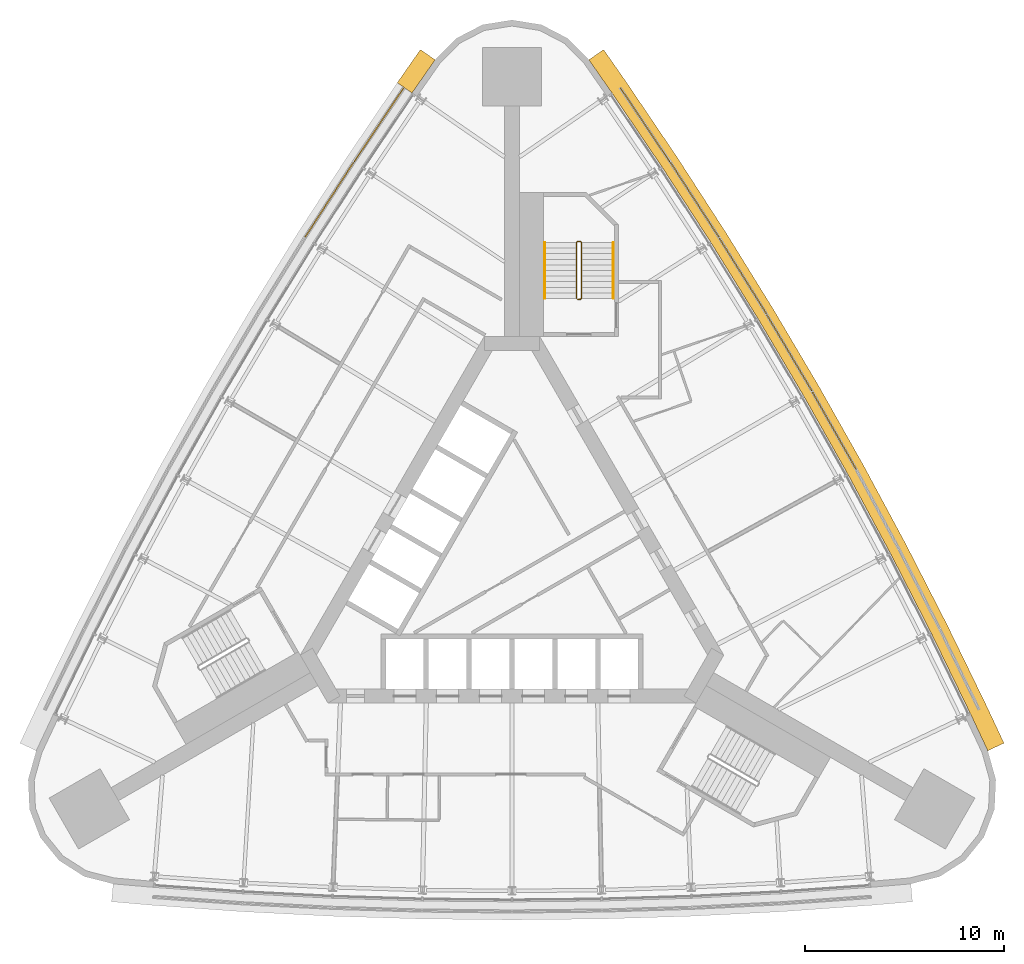
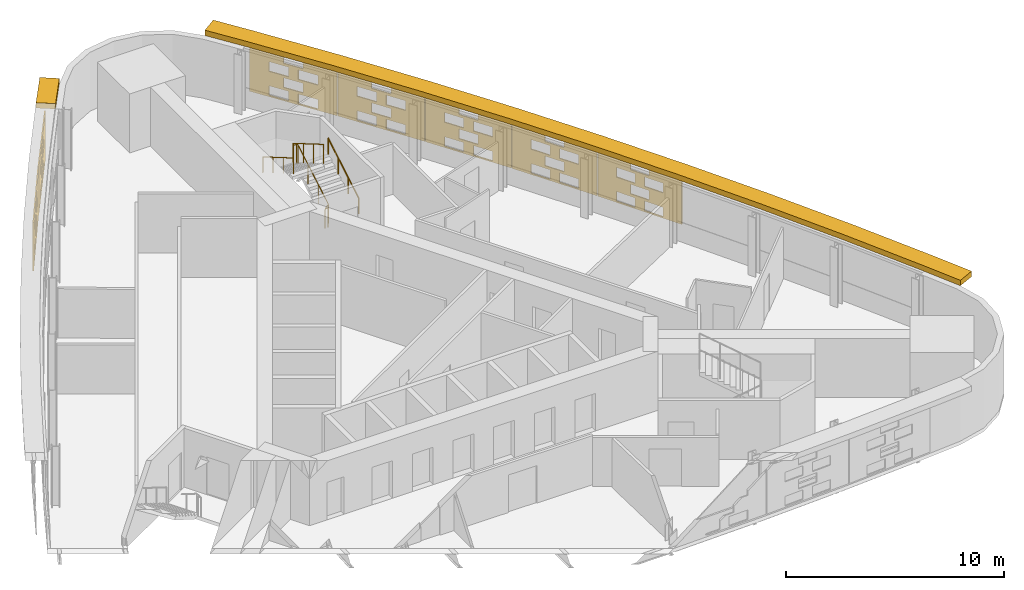
# One storey, part 11 of 11: 9 shading devices, 3 railings.
"""IFC4 building model written with IfcOpenShell, lengths in metres."""

import ifcopenshell
import ifcopenshell.guid

model = None  # the IFC model being written
_history = None  # IfcOwnerHistory: only IFC2X3 demands one
_inside = {}  # id of a spatial element -> (the spatial element, [elements in it])
_under = {}  # id of a project, library or spatial element -> (it, [spatial elements below it])
_declared = {}  # id of a project -> (the project, [libraries it declares])
_typed = {}  # id of a type object -> (the type object, [elements of that type])
_made_of = {}  # id of a material, layer set ... -> (it, [elements and type objects made of it])


def new_model(schema):
    """Start an empty IFC model of exactly this schema.

    Asked for "IFC4X3", IfcOpenShell would pick the latest addendum, in which some entities
    have other attributes; the version numbers below select the first issue.
    IFC2X3 requires an IfcOwnerHistory on every rooted entity: one is made here for all.
    """
    global model, _history
    if schema == "IFC4X3":
        model = ifcopenshell.file(schema_version=(4, 3, 0, 0))
    else:
        model = ifcopenshell.file(schema=schema)
    _inside.clear()
    _under.clear()
    _declared.clear()
    _typed.clear()
    _made_of.clear()
    _history = None
    if model.schema == "IFC2X3":
        org = make("IfcOrganization", Name="unknown")
        user = make(
            "IfcPersonAndOrganization",
            ThePerson=make("IfcPerson", FamilyName="unknown"),
            TheOrganization=org,
        )
        app = make(
            "IfcApplication",
            ApplicationDeveloper=org,
            Version="unknown",
            ApplicationFullName="unknown",
            ApplicationIdentifier="unknown",
        )
        _history = make(
            "IfcOwnerHistory",
            OwningUser=user,
            OwningApplication=app,
            ChangeAction="ADDED",
            CreationDate=0,
        )
    return model


def make(cls, **values):
    """One entity of the class cls with the attributes given. An attribute that is None is left unset."""
    return model.create_entity(
        cls, **{name: value for name, value in values.items() if value is not None}
    )


def rooted(cls, **values):
    """An entity with a GlobalId (a new one), such as an element, a storey or a relation."""
    return make(cls, GlobalId=ifcopenshell.guid.new(), OwnerHistory=_history, **values)


def si_unit(unit_type, name, prefix=None):
    """IfcSIUnit, for example si_unit("LENGTHUNIT", "METRE", prefix="MILLI")."""
    return make("IfcSIUnit", UnitType=unit_type, Prefix=prefix, Name=name)


def assignment(units):
    """IfcUnitAssignment: the units of a project."""
    return None if units is None else make("IfcUnitAssignment", Units=units)


def point(xyz):
    """IfcCartesianPoint."""
    return None if xyz is None else make("IfcCartesianPoint", Coordinates=xyz)


def direction(xyz):
    """IfcDirection."""
    return None if xyz is None else make("IfcDirection", DirectionRatios=xyz)


def frame(location, z_axis=None, x_axis=None):
    """IfcAxis2Placement3D, a coordinate frame: its origin and axes. An axis left out is left unset."""
    return make(
        "IfcAxis2Placement3D",
        Location=point(location),
        Axis=direction(z_axis),
        RefDirection=direction(x_axis),
    )


def frame_2d(location, x_axis=None):
    """IfcAxis2Placement2D, a coordinate frame in the plane: its origin and x axis."""
    return make(
        "IfcAxis2Placement2D", Location=point(location), RefDirection=direction(x_axis)
    )


def origin():
    """The frame at (0, 0, 0) with its axes left unset."""
    return frame((0.0, 0.0, 0.0))


def origin_2d():
    """The frame at (0, 0) in the plane with its x axis left unset."""
    return frame_2d((0.0, 0.0))


def place(relative_to, where):
    """IfcLocalPlacement: puts the frame where relative to a parent placement (None: the world)."""
    return make(
        "IfcLocalPlacement", PlacementRelTo=relative_to, RelativePlacement=where
    )


def context(
    kind, dimensions, precision=None, world=None, true_north=None, identifier=None
):
    """IfcGeometricRepresentationContext, for example the 3D "Model" context."""
    return make(
        "IfcGeometricRepresentationContext",
        ContextIdentifier=identifier,
        ContextType=kind,
        CoordinateSpaceDimension=dimensions,
        Precision=precision,
        WorldCoordinateSystem=world,
        TrueNorth=true_north,
    )


def subcontext(parent, identifier, kind, view, scale=None):
    """IfcGeometricRepresentationSubContext, for example "Body" below "Model"."""
    return make(
        "IfcGeometricRepresentationSubContext",
        ContextIdentifier=identifier,
        ContextType=kind,
        ParentContext=parent,
        TargetScale=scale,
        TargetView=view,
    )


def project(units=None, contexts=None):
    """IfcProject with its units and contexts."""
    return rooted(
        "IfcProject",
        Name="project",
        RepresentationContexts=contexts,
        UnitsInContext=assignment(units),
    )


def spatial(cls, under=None, at=None, **own):
    """A site, building, storey or space (cls), placed at a placement, below another one or the project."""
    s = rooted(cls, ObjectPlacement=at, **own)
    if under is not None:
        _under.setdefault(under.id(), (under, []))[1].append(s)
    return s


def polyline(points):
    """IfcPolyline through the points."""
    return make("IfcPolyline", Points=[point(p) for p in points])


def profile(cls, at=None, kind="AREA", **sizes):
    """A parametric profile (cls). Its sizes go by their IFC names, for example OverallWidth=200.0."""
    return make(cls, ProfileType=kind, Position=at, **sizes)


def circle(**sizes):
    """IfcCircleProfileDef."""
    return profile("IfcCircleProfileDef", **sizes)


def outline(outer, holes=None, kind="AREA"):
    """IfcArbitraryClosedProfileDef: a profile drawn as a closed curve; with holes, ...WithVoids."""
    if holes is None:
        return make("IfcArbitraryClosedProfileDef", ProfileType=kind, OuterCurve=outer)
    return make(
        "IfcArbitraryProfileDefWithVoids",
        ProfileType=kind,
        OuterCurve=outer,
        InnerCurves=holes,
    )


def extrude(swept, where, along, depth):
    """IfcExtrudedAreaSolid: the profile swept, set in the frame where, extruded along a direction by depth."""
    return make(
        "IfcExtrudedAreaSolid",
        SweptArea=swept,
        Position=where,
        ExtrudedDirection=direction(along),
        Depth=depth,
    )


def shape(context_of_items, identifier, shape_type, items):
    """IfcShapeRepresentation: the items that make up one representation, for example the "Body"."""
    return make(
        "IfcShapeRepresentation",
        ContextOfItems=context_of_items,
        RepresentationIdentifier=identifier,
        RepresentationType=shape_type,
        Items=items,
    )


def material(Name=None, Category=None):
    """IfcMaterial."""
    return make("IfcMaterial", Name=Name, Category=Category)


def material_profile(
    of_material, cross_section, Name=None, Category=None, Priority=None
):
    """IfcMaterialProfile: a cross section and its material."""
    return make(
        "IfcMaterialProfile",
        Name=Name,
        Material=of_material,
        Profile=cross_section,
        Priority=Priority,
        Category=Category,
    )


def profile_set(profiles, Name=None, composite=None):
    """IfcMaterialProfileSet."""
    return make(
        "IfcMaterialProfileSet",
        Name=Name,
        MaterialProfiles=profiles,
        CompositeProfile=composite,
    )


def made_of(thing, what):
    """Note that an element or type object is made of a material, layer set ...; save() writes the relation."""
    if what is not None:
        _made_of.setdefault(what.id(), (what, []))[1].append(thing)
    return thing


def type_object(cls, material=None, **own):
    """A type object (cls), such as IfcWallType, which elements share."""
    return made_of(rooted(cls, **own), material)


def element(
    cls,
    number,
    at=None,
    inside=None,
    cuts=None,
    type_object=None,
    material=None,
    context=None,
    identifier="Body",
    shape_type=None,
    held_by="IfcProductDefinitionShape",
    body=None,
    shapes=None,
    **own,
):
    """One element of the class cls, such as IfcWall. Its Tag is "e" and its number.

    at: its placement. inside: the storey or other place that contains it. cuts: it is an
    opening in that element (IfcRelVoidsElement). A single representation is given by context,
    identifier, shape_type and body (its items); several are given by shapes. held_by: the class
    of the entity that holds the representations. save() writes the other relations.
    """
    e = rooted(cls, Tag="e%d" % number, ObjectPlacement=at, **own)
    if body is not None:
        shapes = [shape(context, identifier, shape_type, body)]
    if shapes is not None:
        e.Representation = make(held_by, Representations=shapes)
    if inside is not None:
        _inside.setdefault(inside.id(), (inside, []))[1].append(e)
    if cuts is not None:
        rooted(
            "IfcRelVoidsElement", RelatingBuildingElement=cuts, RelatedOpeningElement=e
        )
    if type_object is not None:
        _typed.setdefault(type_object.id(), (type_object, []))[1].append(e)
    return made_of(e, material)


def aggregate(whole, parts):
    """IfcRelAggregates: a whole, such as a stair, and the parts it consists of."""
    return rooted("IfcRelAggregates", RelatingObject=whole, RelatedObjects=parts)


def save(model, path):
    """Write the relations noted so far, then the file.

    IfcRelAggregates (storeys below a building ...), IfcRelContainedInSpatialStructure (elements
    in a storey), IfcRelDefinesByType, IfcRelAssociatesMaterial and IfcRelDeclares: one each for
    every whole, place, type object, material and project.
    """
    for whole, parts in _under.values():
        aggregate(whole, parts)
    for where, things in _inside.values():
        rooted(
            "IfcRelContainedInSpatialStructure",
            RelatedElements=things,
            RelatingStructure=where,
        )
    for kind, things in _typed.values():
        rooted("IfcRelDefinesByType", RelatedObjects=things, RelatingType=kind)
    for what, things in _made_of.values():
        rooted("IfcRelAssociatesMaterial", RelatedObjects=things, RelatingMaterial=what)
    for by, libraries in _declared.values():
        rooted("IfcRelDeclares", RelatingContext=by, RelatedDefinitions=libraries)
    model.write(path)


model = new_model("IFC4")

# Units and contexts
model_context = context("Model", 3, precision=1e-05, world=origin(), true_north=direction((0.0, 1.0)))
body_context = subcontext(model_context, "Body", "Model", "MODEL_VIEW")
ifc_project = project(units=[si_unit("LENGTHUNIT", "METRE"), si_unit("AREAUNIT", "SQUARE_METRE"), si_unit("VOLUMEUNIT", "CUBIC_METRE"), si_unit("PLANEANGLEUNIT", "RADIAN"), si_unit("MASSUNIT", "GRAM", prefix="KILO")], contexts=[model_context])

# Site, building, storey
site_placement = place(None, origin())
site = spatial("IfcSite", under=ifc_project, at=site_placement, CompositionType="ELEMENT")
building_placement = place(site_placement, origin())
building = spatial("IfcBuilding", under=site, at=building_placement, Name="Noor Cloister Tower", CompositionType="ELEMENT")
storey_placement = place(building_placement, frame((0.0, 0.0, 123.89990234375)))
storey = spatial("IfcBuildingStorey", under=building, at=storey_placement, Name="L32", CompositionType="ELEMENT", Elevation=123.89990234375)

# Shading devices
ifc_material_1 = material(Name="Limestone", Category="masonry")
ifc_material_profile = material_profile(ifc_material_1, outline(polyline([(-2.22998046875, -1.35009765625), (2.22998046875, -1.35009765625), (2.22998046875, 1.35009765625), (-2.22998046875, 1.35009765625), (-2.22998046875, -1.35009765625)]), holes=[polyline([(-1.25, -1.282470703125), (-0.25, -1.282470703125), (-0.25, -0.742431640625), (-1.25, -0.742431640625), (-1.25, -1.282470703125)]), polyline([(0.25, -1.282470703125), (1.25, -1.282470703125), (1.25, -0.742431640625), (0.25, -0.742431640625), (0.25, -1.282470703125)]), polyline([(-0.5, -0.607421875), (0.5, -0.607421875), (0.5, -0.0673828125), (-0.5, -0.0673828125), (-0.5, -0.607421875)]), polyline([(-1.25, 0.0673828125), (-0.25, 0.0673828125), (-0.25, 0.607421875), (-1.25, 0.607421875), (-1.25, 0.0673828125)]), polyline([(0.25, 0.0673828125), (1.25, 0.0673828125), (1.25, 0.607421875), (0.25, 0.607421875), (0.25, 0.0673828125)]), polyline([(-0.5, 0.742431640625), (0.5, 0.742431640625), (0.5, 1.282470703125), (-0.5, 1.282470703125), (-0.5, 0.742431640625)])]), Name="Woven screen 30 percent open")
ifc_profile_set = profile_set([ifc_material_profile], Name="Limestone")
shading_device_type_1 = type_object("IfcShadingDeviceType", Name="SCREEN woven limestone 30 percent open", PredefinedType="USERDEFINED", material=ifc_profile_set)
shading_device_1_placement = place(storey_placement, frame((-6.645751953125, 22.044189453125, 1.85009765625), z_axis=(-0.830167318038, 0.557514326329, 0.0), x_axis=(-0.557514326329, -0.830167318038, 0.0)))
element("IfcShadingDevice", 1, at=shading_device_1_placement, inside=storey, type_object=shading_device_type_1, Name="SCREEN L32 1", ObjectType="SCREEN", PredefinedType="USERDEFINED", context=body_context, shape_type="SweptSolid", body=[
    extrude(outline(polyline([(-2.22998046875, -1.35009765625), (2.22998046875, -1.35009765625), (2.22998046875, 1.35009765625), (-2.22998046875, 1.35009765625), (-2.22998046875, -1.35009765625)]), holes=[polyline([(-1.25, -1.282470703125), (-0.25, -1.282470703125), (-0.25, -0.742431640625), (-1.25, -0.742431640625), (-1.25, -1.282470703125)]), polyline([(0.25, -1.282470703125), (1.25, -1.282470703125), (1.25, -0.742431640625), (0.25, -0.742431640625), (0.25, -1.282470703125)]), polyline([(-0.5, -0.607421875), (0.5, -0.607421875), (0.5, -0.0673828125), (-0.5, -0.0673828125), (-0.5, -0.607421875)]), polyline([(-1.25, 0.0673828125), (-0.25, 0.0673828125), (-0.25, 0.607421875), (-1.25, 0.607421875), (-1.25, 0.0673828125)]), polyline([(0.25, 0.0673828125), (1.25, 0.0673828125), (1.25, 0.607421875), (0.25, 0.607421875), (0.25, 0.0673828125)]), polyline([(-0.5, 0.742431640625), (0.5, 0.742431640625), (0.5, 1.282470703125), (-0.5, 1.282470703125), (-0.5, 0.742431640625)])]), origin(), (0.0, 0.0, 1.0), 0.06005859375),
])
shading_device_2_placement = place(storey_placement, frame((-9.133544921875, 18.28369140625, 1.85009765625), z_axis=(-0.839461337737, 0.543419416699, 0.0), x_axis=(-0.543419416699, -0.839461337737, 0.0)))
element("IfcShadingDevice", 2, at=shading_device_2_placement, inside=storey, type_object=shading_device_type_1, Name="SCREEN L32 2", ObjectType="SCREEN", PredefinedType="USERDEFINED", context=body_context, shape_type="SweptSolid", body=[
    extrude(outline(polyline([(-2.22998046875, -1.35009765625), (2.22998046875, -1.35009765625), (2.22998046875, 1.35009765625), (-2.22998046875, 1.35009765625), (-2.22998046875, -1.35009765625)]), holes=[polyline([(-1.25, -1.282470703125), (-0.25, -1.282470703125), (-0.25, -0.742431640625), (-1.25, -0.742431640625), (-1.25, -1.282470703125)]), polyline([(0.25, -1.282470703125), (1.25, -1.282470703125), (1.25, -0.742431640625), (0.25, -0.742431640625), (0.25, -1.282470703125)]), polyline([(-0.5, -0.607421875), (0.5, -0.607421875), (0.5, -0.0673828125), (-0.5, -0.0673828125), (-0.5, -0.607421875)]), polyline([(-1.25, 0.0673828125), (-0.25, 0.0673828125), (-0.25, 0.607421875), (-1.25, 0.607421875), (-1.25, 0.0673828125)]), polyline([(0.25, 0.0673828125), (1.25, 0.0673828125), (1.25, 0.607421875), (0.25, 0.607421875), (0.25, 0.0673828125)]), polyline([(-0.5, 0.742431640625), (0.5, 0.742431640625), (0.5, 1.282470703125), (-0.5, 1.282470703125), (-0.5, 0.742431640625)])]), origin(), (0.0, 0.0, 1.0), 0.060302734375),
])
shading_device_3_placement = place(storey_placement, frame((16.13232421875, 6.710693359375, 1.85009765625), z_axis=(0.87048706901, 0.492191286683, 0.0), x_axis=(-0.492191286683, 0.87048706901, 0.0)))
element("IfcShadingDevice", 3, at=shading_device_3_placement, inside=storey, type_object=shading_device_type_1, Name="SCREEN L32 4", ObjectType="SCREEN", PredefinedType="USERDEFINED", context=body_context, shape_type="SweptSolid", body=[
    extrude(outline(polyline([(-2.22998046875, -1.35009765625), (2.22998046875, -1.35009765625), (2.22998046875, 1.35009765625), (-2.22998046875, 1.35009765625), (-2.22998046875, -1.35009765625)]), holes=[polyline([(-1.25, -1.282470703125), (-0.25, -1.282470703125), (-0.25, -0.742431640625), (-1.25, -0.742431640625), (-1.25, -1.282470703125)]), polyline([(0.25, -1.282470703125), (1.25, -1.282470703125), (1.25, -0.742431640625), (0.25, -0.742431640625), (0.25, -1.282470703125)]), polyline([(-0.5, -0.607421875), (0.5, -0.607421875), (0.5, -0.0673828125), (-0.5, -0.0673828125), (-0.5, -0.607421875)]), polyline([(-1.25, 0.0673828125), (-0.25, 0.0673828125), (-0.25, 0.607421875), (-1.25, 0.607421875), (-1.25, 0.0673828125)]), polyline([(0.25, 0.0673828125), (1.25, 0.0673828125), (1.25, 0.607421875), (0.25, 0.607421875), (0.25, 0.0673828125)]), polyline([(-0.5, 0.742431640625), (0.5, 0.742431640625), (0.5, 1.282470703125), (-0.5, 1.282470703125), (-0.5, 0.742431640625)])]), origin(), (0.0, 0.0, 1.0), 0.06005859375),
])
shading_device_4_placement = place(storey_placement, frame((13.8779296875, 10.615478515625, 1.85009765625), z_axis=(0.860357760281, 0.50969061628, 0.0), x_axis=(-0.50969061628, 0.860357760281, 0.0)))
element("IfcShadingDevice", 4, at=shading_device_4_placement, inside=storey, type_object=shading_device_type_1, Name="SCREEN L32 5", ObjectType="SCREEN", PredefinedType="USERDEFINED", context=body_context, shape_type="SweptSolid", body=[
    extrude(outline(polyline([(-2.22998046875, -1.35009765625), (2.22998046875, -1.35009765625), (2.22998046875, 1.35009765625), (-2.22998046875, 1.35009765625), (-2.22998046875, -1.35009765625)]), holes=[polyline([(-1.25, -1.282470703125), (-0.25, -1.282470703125), (-0.25, -0.742431640625), (-1.25, -0.742431640625), (-1.25, -1.282470703125)]), polyline([(0.25, -1.282470703125), (1.25, -1.282470703125), (1.25, -0.742431640625), (0.25, -0.742431640625), (0.25, -1.282470703125)]), polyline([(-0.5, -0.607421875), (0.5, -0.607421875), (0.5, -0.0673828125), (-0.5, -0.0673828125), (-0.5, -0.607421875)]), polyline([(-1.25, 0.0673828125), (-0.25, 0.0673828125), (-0.25, 0.607421875), (-1.25, 0.607421875), (-1.25, 0.0673828125)]), polyline([(0.25, 0.0673828125), (1.25, 0.0673828125), (1.25, 0.607421875), (0.25, 0.607421875), (0.25, 0.0673828125)]), polyline([(-0.5, 0.742431640625), (0.5, 0.742431640625), (0.5, 1.282470703125), (-0.5, 1.282470703125), (-0.5, 0.742431640625)])]), origin(), (0.0, 0.0, 1.0), 0.059814453125),
])
shading_device_5_placement = place(storey_placement, frame((11.544677734375, 14.4736328125, 1.85009765625), z_axis=(0.849137590634, 0.528171707093, 0.0), x_axis=(-0.528171707093, 0.849137590634, 0.0)))
element("IfcShadingDevice", 5, at=shading_device_5_placement, inside=storey, type_object=shading_device_type_1, Name="SCREEN L32 6", ObjectType="SCREEN", PredefinedType="USERDEFINED", context=body_context, shape_type="SweptSolid", body=[
    extrude(outline(polyline([(-2.22998046875, -1.35009765625), (2.22998046875, -1.35009765625), (2.22998046875, 1.35009765625), (-2.22998046875, 1.35009765625), (-2.22998046875, -1.35009765625)]), holes=[polyline([(-1.25, -1.282470703125), (-0.25, -1.282470703125), (-0.25, -0.742431640625), (-1.25, -0.742431640625), (-1.25, -1.282470703125)]), polyline([(0.25, -1.282470703125), (1.25, -1.282470703125), (1.25, -0.742431640625), (0.25, -0.742431640625), (0.25, -1.282470703125)]), polyline([(-0.5, -0.607421875), (0.5, -0.607421875), (0.5, -0.0673828125), (-0.5, -0.0673828125), (-0.5, -0.607421875)]), polyline([(-1.25, 0.0673828125), (-0.25, 0.0673828125), (-0.25, 0.607421875), (-1.25, 0.607421875), (-1.25, 0.0673828125)]), polyline([(0.25, 0.0673828125), (1.25, 0.0673828125), (1.25, 0.607421875), (0.25, 0.607421875), (0.25, 0.0673828125)]), polyline([(-0.5, 0.742431640625), (0.5, 0.742431640625), (0.5, 1.282470703125), (-0.5, 1.282470703125), (-0.5, 0.742431640625)])]), origin(), (0.0, 0.0, 1.0), 0.06005859375),
])
shading_device_6_placement = place(storey_placement, frame((9.133544921875, 18.28369140625, 1.85009765625), z_axis=(0.839461337737, 0.543419416699, 0.0), x_axis=(-0.543419416699, 0.839461337737, 0.0)))
element("IfcShadingDevice", 6, at=shading_device_6_placement, inside=storey, type_object=shading_device_type_1, Name="SCREEN L32 7", ObjectType="SCREEN", PredefinedType="USERDEFINED", context=body_context, shape_type="SweptSolid", body=[
    extrude(outline(polyline([(-2.22998046875, -1.35009765625), (2.22998046875, -1.35009765625), (2.22998046875, 1.35009765625), (-2.22998046875, 1.35009765625), (-2.22998046875, -1.35009765625)]), holes=[polyline([(-1.25, -1.282470703125), (-0.25, -1.282470703125), (-0.25, -0.742431640625), (-1.25, -0.742431640625), (-1.25, -1.282470703125)]), polyline([(0.25, -1.282470703125), (1.25, -1.282470703125), (1.25, -0.742431640625), (0.25, -0.742431640625), (0.25, -1.282470703125)]), polyline([(-0.5, -0.607421875), (0.5, -0.607421875), (0.5, -0.0673828125), (-0.5, -0.0673828125), (-0.5, -0.607421875)]), polyline([(-1.25, 0.0673828125), (-0.25, 0.0673828125), (-0.25, 0.607421875), (-1.25, 0.607421875), (-1.25, 0.0673828125)]), polyline([(0.25, 0.0673828125), (1.25, 0.0673828125), (1.25, 0.607421875), (0.25, 0.607421875), (0.25, 0.0673828125)]), polyline([(-0.5, 0.742431640625), (0.5, 0.742431640625), (0.5, 1.282470703125), (-0.5, 1.282470703125), (-0.5, 0.742431640625)])]), origin(), (0.0, 0.0, 1.0), 0.060302734375),
])
shading_device_7_placement = place(storey_placement, frame((6.645751953125, 22.044189453125, 1.85009765625), z_axis=(0.830167318038, 0.557514326329, 0.0), x_axis=(-0.557514326329, 0.830167318038, 0.0)))
element("IfcShadingDevice", 7, at=shading_device_7_placement, inside=storey, type_object=shading_device_type_1, Name="SCREEN L32 8", ObjectType="SCREEN", PredefinedType="USERDEFINED", context=body_context, shape_type="SweptSolid", body=[
    extrude(outline(polyline([(-2.22998046875, -1.35009765625), (2.22998046875, -1.35009765625), (2.22998046875, 1.35009765625), (-2.22998046875, 1.35009765625), (-2.22998046875, -1.35009765625)]), holes=[polyline([(-1.25, -1.282470703125), (-0.25, -1.282470703125), (-0.25, -0.742431640625), (-1.25, -0.742431640625), (-1.25, -1.282470703125)]), polyline([(0.25, -1.282470703125), (1.25, -1.282470703125), (1.25, -0.742431640625), (0.25, -0.742431640625), (0.25, -1.282470703125)]), polyline([(-0.5, -0.607421875), (0.5, -0.607421875), (0.5, -0.0673828125), (-0.5, -0.0673828125), (-0.5, -0.607421875)]), polyline([(-1.25, 0.0673828125), (-0.25, 0.0673828125), (-0.25, 0.607421875), (-1.25, 0.607421875), (-1.25, 0.0673828125)]), polyline([(0.25, 0.0673828125), (1.25, 0.0673828125), (1.25, 0.607421875), (0.25, 0.607421875), (0.25, 0.0673828125)]), polyline([(-0.5, 0.742431640625), (0.5, 0.742431640625), (0.5, 1.282470703125), (-0.5, 1.282470703125), (-0.5, 0.742431640625)])]), origin(), (0.0, 0.0, 1.0), 0.06005859375),
])
ifc_material_2 = material(Name="Limestone", Category="masonry")
shading_device_type_2 = type_object("IfcShadingDeviceType", Name="SUNSHADE limestone band 900", PredefinedType="USERDEFINED", material=ifc_material_2)
shading_device_8_placement = place(storey_placement, frame((0.0, 0.0, 3.300048828125)))
element("IfcShadingDevice", 8, at=shading_device_8_placement, inside=storey, type_object=shading_device_type_2, Name="SUNSHADE L32 3", ObjectType="SUNSHADE", PredefinedType="USERDEFINED", context=body_context, shape_type="SweptSolid", body=[
    extrude(outline(polyline([(24.666748046875, -8.93994140625), (23.80517578125, -7.099365234375), (21.83056640625, -3.0380859375), (19.772705078125, 0.984130859375), (17.6337890625, 4.964111328125), (15.41455078125, 8.899658203125), (13.115966796875, 12.789306640625), (10.73876953125, 16.631591796875), (8.2841796875, 20.4248046875), (5.75439453125, 24.16552734375), (4.59130859375, 25.83203125), (3.853271484375, 25.31689453125), (5.0126953125, 23.65576171875), (7.533447265625, 19.92822265625), (9.978271484375, 16.150390625), (12.345703125, 12.323486328125), (14.635009765625, 8.449462890625), (16.845458984375, 4.52978515625), (18.9755859375, 0.566162109375), (21.025146484375, -3.43994140625), (22.992919921875, -7.48681640625), (23.851806640625, -9.321533203125), (24.666748046875, -8.93994140625)])), origin(), (0.0, 0.0, 1.0), 0.300048828125),
])
shading_device_9_placement = place(storey_placement, frame((0.0, 0.0, 3.300048828125)))
element("IfcShadingDevice", 9, at=shading_device_9_placement, inside=storey, type_object=shading_device_type_2, Name="SUNSHADE L32 4", ObjectType="SUNSHADE", PredefinedType="USERDEFINED", context=body_context, shape_type="SweptSolid", body=[
    extrude(outline(polyline([(-4.59130859375, 25.83203125), (-5.750732421875, 24.1708984375), (-5.0126953125, 23.65576171875), (-3.853271484375, 25.31689453125), (-4.59130859375, 25.83203125)])), origin(), (0.0, 0.0, 1.0), 0.300048828125),
])

# Railings
ifc_material_3 = material(Name="Stainless steel", Category="steel")
railing_type_1 = type_object("IfcRailingType", Name="Stair guard 1100", PredefinedType="GUARDRAIL", material=ifc_material_3)
railing_1_placement = place(storey_placement, frame((3.435546875, 13.306396484375, 0.0)))
element("IfcRailing", 10, at=railing_1_placement, inside=storey, type_object=railing_type_1, Name="Stair guard ST1 L32", PredefinedType="GUARDRAIL", context=body_context, shape_type="SweptSolid", body=[
    extrude(circle(Radius=0.02392578125, at=origin_2d()), frame((0.0, 0.0, 1.076171875), z_axis=(-1.0, 0.0, 0.0), x_axis=(0.0, -1.0, 0.0)), (0.0, 0.0, 1.0), 0.14990234375),
    extrude(circle(Radius=0.02392578125, at=origin_2d()), frame((-0.14990234375, 0.0, 1.076171875), z_axis=(0.759432192796, 0.190089865108, 0.622196582865), x_axis=(-0.242814311512, 0.970072785993, 0.0)), (0.0, 0.0, 1.0), 0.26318359375),
    extrude(circle(Radius=0.02392578125, at=origin_2d()), frame((0.050048828125, 0.050048828125, 1.23974609375), z_axis=(0.0, 0.863393664356, 0.504530851732), x_axis=(-1.0, 0.0, 0.0)), (0.0, 0.0, 1.0), 3.2431640625),
    extrude(circle(Radius=0.02392578125, at=origin_2d()), frame((0.050048828125, 2.85009765625, 2.8759765625), z_axis=(-0.708833529934, 0.705375805398, 0.0), x_axis=(-0.705375805398, -0.708833529934, 0.0)), (0.0, 0.0, 1.0), 0.070556640625),
    extrude(circle(Radius=0.02392578125, at=origin_2d()), frame((0.0, 2.89990234375, 2.8759765625), z_axis=(-1.0, 0.0, 0.0), x_axis=(0.0, -1.0, 0.0)), (0.0, 0.0, 1.0), 0.14990234375),
    extrude(circle(Radius=0.02392578125, at=origin_2d()), frame((-0.14990234375, 2.89990234375, 2.8759765625), z_axis=(-0.280916556609, -0.279546231943, 0.91811752648), x_axis=(0.705375805398, -0.708833529934, 0.0)), (0.0, 0.0, 1.0), 0.17822265625),
    extrude(circle(Radius=0.02392578125, at=origin_2d()), frame((-0.199951171875, 2.85009765625, 3.03955078125), z_axis=(0.0, -0.863360870873, 0.504586966384), x_axis=(1.0, 0.0, 0.0)), (0.0, 0.0, 1.0), 3.2431640625),
    extrude(circle(Radius=0.02099609375, at=origin_2d()), origin(), (0.0, 0.0, 1.0), 1.052001953125),
    extrude(circle(Radius=0.02099609375, at=origin_2d()), frame((-0.14990234375, 0.0, 0.0)), (0.0, 0.0, 1.0), 1.052001953125),
    extrude(circle(Radius=0.02099609375, at=origin_2d()), frame((0.050048828125, 0.050048828125, 0.163818359375)), (0.0, 0.0, 1.0), 1.052001953125),
    extrude(circle(Radius=0.02099609375, at=origin_2d()), frame((0.050048828125, 0.9833984375, 0.709228515625)), (0.0, 0.0, 1.0), 1.052001953125),
    extrude(circle(Radius=0.02099609375, at=origin_2d()), frame((0.050048828125, 1.916748046875, 1.254638671875)), (0.0, 0.0, 1.0), 1.052001953125),
    extrude(circle(Radius=0.02099609375, at=origin_2d()), frame((0.050048828125, 2.85009765625, 1.800048828125)), (0.0, 0.0, 1.0), 1.052001953125),
    extrude(circle(Radius=0.02099609375, at=origin_2d()), frame((0.0, 2.89990234375, 1.800048828125)), (0.0, 0.0, 1.0), 1.052001953125),
    extrude(circle(Radius=0.02099609375, at=origin_2d()), frame((-0.14990234375, 2.89990234375, 1.800048828125)), (0.0, 0.0, 1.0), 1.052001953125),
    extrude(circle(Radius=0.02099609375, at=origin_2d()), frame((-0.199951171875, 2.85009765625, 1.963623046875)), (0.0, 0.0, 1.0), 1.052001953125),
    extrude(circle(Radius=0.02099609375, at=origin_2d()), frame((-0.199951171875, 1.916748046875, 2.509033203125)), (0.0, 0.0, 1.0), 1.052001953125),
    extrude(circle(Radius=0.02099609375, at=origin_2d()), frame((-0.199951171875, 0.9833984375, 3.0546875)), (0.0, 0.0, 1.0), 1.052001953125),
    extrude(circle(Radius=0.02099609375, at=origin_2d()), frame((-0.199951171875, 0.050048828125, 3.60009765625)), (0.0, 0.0, 1.0), 1.052001953125),
])
ifc_material_4 = material(Name="Stainless steel", Category="steel")
railing_type_2 = type_object("IfcRailingType", Name="Stair handrail 900", PredefinedType="HANDRAIL", material=ifc_material_4)
railing_2_placement = place(storey_placement, frame((5.085693359375, 13.3564453125, 0.163818359375)))
element("IfcRailing", 11, at=railing_2_placement, inside=storey, type_object=railing_type_2, Name="Stair handrail ST1 L32 1", PredefinedType="HANDRAIL", context=body_context, shape_type="SweptSolid", body=[
    extrude(circle(Radius=0.02392578125, at=origin_2d()), frame((0.0, 0.0, 0.8759765625), z_axis=(0.0, 0.863393664356, 0.504530851732), x_axis=(-1.0, 0.0, 0.0)), (0.0, 0.0, 1.0), 3.2431640625),
    extrude(circle(Radius=0.02099609375, at=origin_2d()), origin(), (0.0, 0.0, 1.0), 0.851806640625),
    extrude(circle(Radius=0.02099609375, at=origin_2d()), frame((0.0, 0.933349609375, 0.54541015625)), (0.0, 0.0, 1.0), 0.851806640625),
    extrude(circle(Radius=0.02099609375, at=origin_2d()), frame((0.0, 1.86669921875, 1.0908203125)), (0.0, 0.0, 1.0), 0.851806640625),
    extrude(circle(Radius=0.02099609375, at=origin_2d()), frame((0.0, 2.800048828125, 1.63623046875)), (0.0, 0.0, 1.0), 0.851806640625),
])
railing_3_placement = place(storey_placement, frame((1.6357421875, 16.156494140625, 1.963623046875)))
element("IfcRailing", 12, at=railing_3_placement, inside=storey, type_object=railing_type_2, Name="Stair handrail ST1 L32 2", PredefinedType="HANDRAIL", context=body_context, shape_type="SweptSolid", body=[
    extrude(circle(Radius=0.02392578125, at=origin_2d()), frame((0.0, 0.0, 0.8759765625), z_axis=(0.0, -0.863360870873, 0.504586966384), x_axis=(1.0, 0.0, 0.0)), (0.0, 0.0, 1.0), 3.2431640625),
    extrude(circle(Radius=0.02099609375, at=origin_2d()), origin(), (0.0, 0.0, 1.0), 0.851806640625),
    extrude(circle(Radius=0.02099609375, at=origin_2d()), frame((0.0, -0.933349609375, 0.54541015625)), (0.0, 0.0, 1.0), 0.851806640625),
    extrude(circle(Radius=0.02099609375, at=origin_2d()), frame((0.0, -1.86669921875, 1.091064453125)), (0.0, 0.0, 1.0), 0.851806640625),
    extrude(circle(Radius=0.02099609375, at=origin_2d()), frame((0.0, -2.800048828125, 1.636474609375)), (0.0, 0.0, 1.0), 0.851806640625),
])

save(model, "model.ifc")
